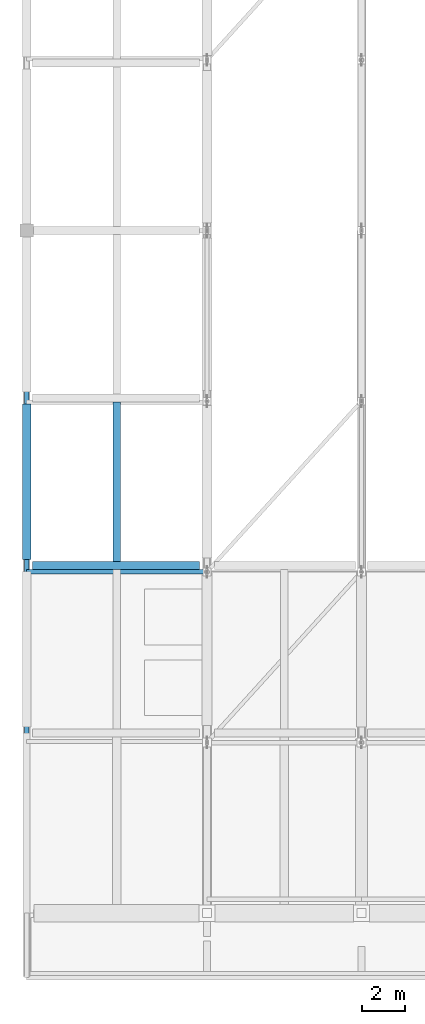
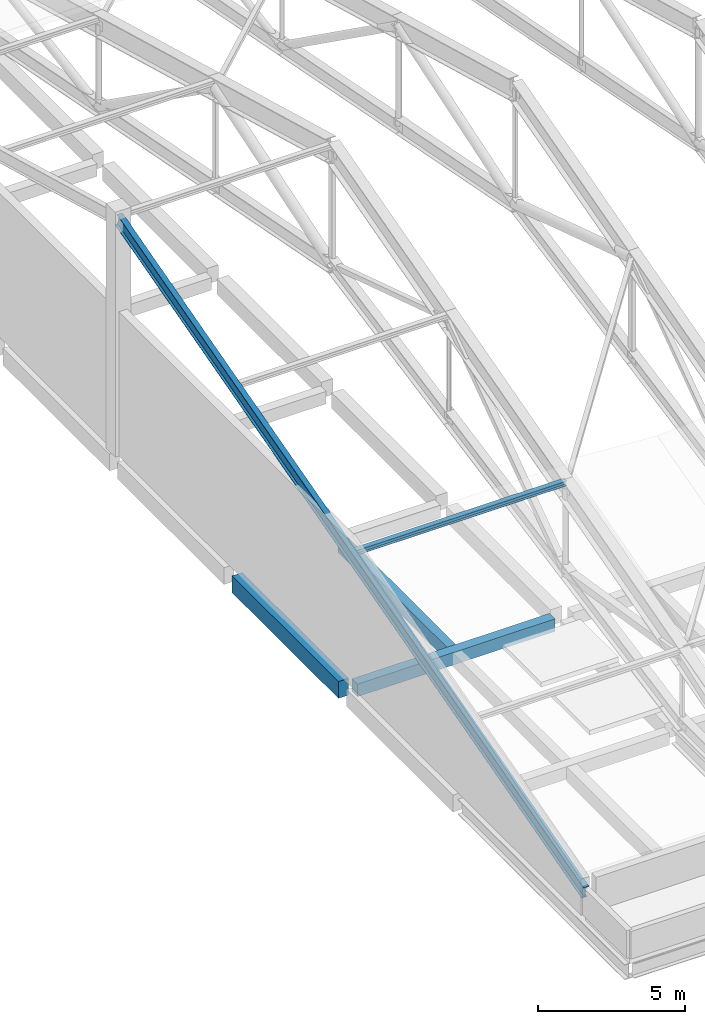
# One storey, part 4 of 53: 4 beams, 1 member.
"""IFC4 building model written with IfcOpenShell, lengths in metres."""

from ifc_helpers import new_model, si_unit, direction, frame, origin, origin_2d, place, context, subcontext, project, spatial, rectangle, i_section, extrude, material, material_profile, profile_set, type_object, element, save


model = new_model("IFC4")

# Units and contexts
model_context = context("Model", 3, precision=1e-05, world=origin(), true_north=direction((0.0, 1.0)))
body_context = subcontext(model_context, "Body", "Model", "MODEL_VIEW")
ifc_project = project(units=[si_unit("LENGTHUNIT", "METRE"), si_unit("AREAUNIT", "SQUARE_METRE"), si_unit("VOLUMEUNIT", "CUBIC_METRE"), si_unit("PLANEANGLEUNIT", "RADIAN"), si_unit("MASSUNIT", "GRAM", prefix="KILO")], contexts=[model_context])

# Site, building, storey
site_placement = place(None, origin())
site = spatial("IfcSite", under=ifc_project, at=site_placement, CompositionType="ELEMENT")
building_placement = place(site_placement, origin())
building = spatial("IfcBuilding", under=site, at=building_placement, Name="Pellamere Symphony Hall", CompositionType="ELEMENT")
storey_placement = place(building_placement, frame((0.0, 0.0, 24.0)))
storey = spatial("IfcBuildingStorey", under=building, at=storey_placement, Name="L05", CompositionType="ELEMENT", Elevation=24.0)

# Beams
ifc_material_1 = material(Name="Concrete 35 MPa", Category="concrete")
ifc_material_profile_1 = material_profile(ifc_material_1, rectangle(XDim=0.35009765625, YDim=0.550048828125, at=origin_2d()), Name="RC 350x550")
ifc_profile_set_1 = profile_set([ifc_material_profile_1], Name="Concrete 35 MPa")
beam_type_1 = type_object("IfcBeamType", Name="RC CB-10 350x550", PredefinedType="BEAM", material=ifc_profile_set_1)
beam_1_placement = place(storey_placement, frame((54.60009765625, 46.389892578125, -0.550048828125), z_axis=(0.0, 1.0, 0.0), x_axis=(-1.0, 0.0, 0.0)))
element("IfcBeam", 1, at=beam_1_placement, inside=storey, type_object=beam_type_1, Name="Secondary Floor Beam CB-10-M0606 (L05)", PredefinedType="BEAM", context=body_context, shape_type="SweptSolid", body=[
    extrude(rectangle(XDim=0.35009765625, YDim=0.550048828125, at=origin_2d()), origin(), (0.0, 0.0, 1.0), 7.420166015625),
])
ifc_material_2 = material(Name="Concrete 40 MPa", Category="concrete")
ifc_material_profile_2 = material_profile(ifc_material_2, rectangle(XDim=0.39990234375, YDim=0.699951171875, at=origin_2d()), Name="RC 400x700")
ifc_profile_set_2 = profile_set([ifc_material_profile_2], Name="Concrete 40 MPa")
beam_type_2 = type_object("IfcBeamType", Name="RC CB-13 400x700", PredefinedType="SPANDREL", material=ifc_profile_set_2)
beam_2_placement = place(storey_placement, frame((50.39990234375, 46.47509765625, -0.610107421875), z_axis=(0.0, 1.0, 0.0), x_axis=(-1.0, 0.0, 0.0)))
element("IfcBeam", 2, at=beam_2_placement, inside=storey, type_object=beam_type_2, Name="Girder CB-13-Y2072 (L05)", PredefinedType="SPANDREL", context=body_context, shape_type="SweptSolid", body=[
    extrude(rectangle(XDim=0.39990234375, YDim=0.699951171875, at=origin_2d()), origin(), (0.0, 0.0, 1.0), 7.25),
])
ifc_material_profile_3 = material_profile(ifc_material_2, rectangle(XDim=0.3798828125, YDim=0.52001953125, at=origin_2d()), Name="RC 380x520")
ifc_profile_set_3 = profile_set([ifc_material_profile_3], Name="Concrete 40 MPa")
beam_type_3 = type_object("IfcBeamType", Name="RC CB-21 380x520", PredefinedType="BEAM", material=ifc_profile_set_3)
beam_3_placement = place(storey_placement, frame((50.675048828125, 46.199951171875, -0.52001953125), z_axis=(1.0, 0.0, 0.0), x_axis=(0.0, 1.0, 0.0)))
element("IfcBeam", 3, at=beam_3_placement, inside=storey, type_object=beam_type_3, Name="Girder CB-21-X2023 (L05)", PredefinedType="BEAM", context=body_context, shape_type="SweptSolid", body=[
    extrude(rectangle(XDim=0.3798828125, YDim=0.52001953125, at=origin_2d()), origin(), (0.0, 0.0, 1.0), 7.77490234375),
])
ifc_material_3 = material(Name="Steel CSA G40.21 350W", Category="steel")
ifc_material_profile_4 = material_profile(ifc_material_3, i_section(OverallWidth=0.2109375, OverallDepth=0.5390625, WebThickness=0.01171875, FlangeThickness=0.018798828125, at=origin_2d()), Name="W530X109")
ifc_profile_set_4 = profile_set([ifc_material_profile_4], Name="Steel CSA G40.21 350W")
beam_type_4 = type_object("IfcBeamType", Name="Steel Beam SB-14 W530X109", PredefinedType="BEAM", material=ifc_profile_set_4)
beam_4_placement = place(storey_placement, frame((50.39990234375, 30.0, 0.89990234375), z_axis=(0.0, 0.964397416122, 0.264457224855), x_axis=(-1.0, 0.0, 0.0)))
element("IfcBeam", 4, at=beam_4_placement, inside=storey, type_object=beam_type_4, Name="Crystal Gable Rafter W-S", PredefinedType="BEAM", context=body_context, shape_type="SweptSolid", body=[
    extrude(i_section(OverallWidth=0.2109375, OverallDepth=0.5390625, WebThickness=0.01171875, FlangeThickness=0.018798828125, at=origin_2d()), origin(), (0.0, 0.0, 1.0), 32.97412109375),
])

# Member
ifc_material_profile_5 = material_profile(ifc_material_3, i_section(OverallWidth=0.2041015625, OverallDepth=0.2060546875, WebThickness=0.0078125, FlangeThickness=0.0126953125, at=origin_2d()), Name="W200X52")
ifc_profile_set_5 = profile_set([ifc_material_profile_5], Name="Steel CSA G40.21 350W")
member_type = type_object("IfcMemberType", Name="Steel Member SM-15 W200X52", PredefinedType="PURLIN", material=ifc_profile_set_5)
member_placement = place(storey_placement, frame((50.39990234375, 45.89990234375, 5.3798828125), z_axis=(1.0, 0.0, 0.0), x_axis=(0.0, 1.0, 0.0)))
element("IfcMember", 5, at=member_placement, inside=storey, type_object=member_type, Name="Crystal Foyer Roof Purlin W.2", PredefinedType="PURLIN", context=body_context, shape_type="SweptSolid", body=[
    extrude(i_section(OverallWidth=0.2041015625, OverallDepth=0.2060546875, WebThickness=0.0078125, FlangeThickness=0.0126953125, at=origin_2d()), origin(), (0.0, 0.0, 1.0), 8.400146484375),
])

save(model, "model.ifc")
